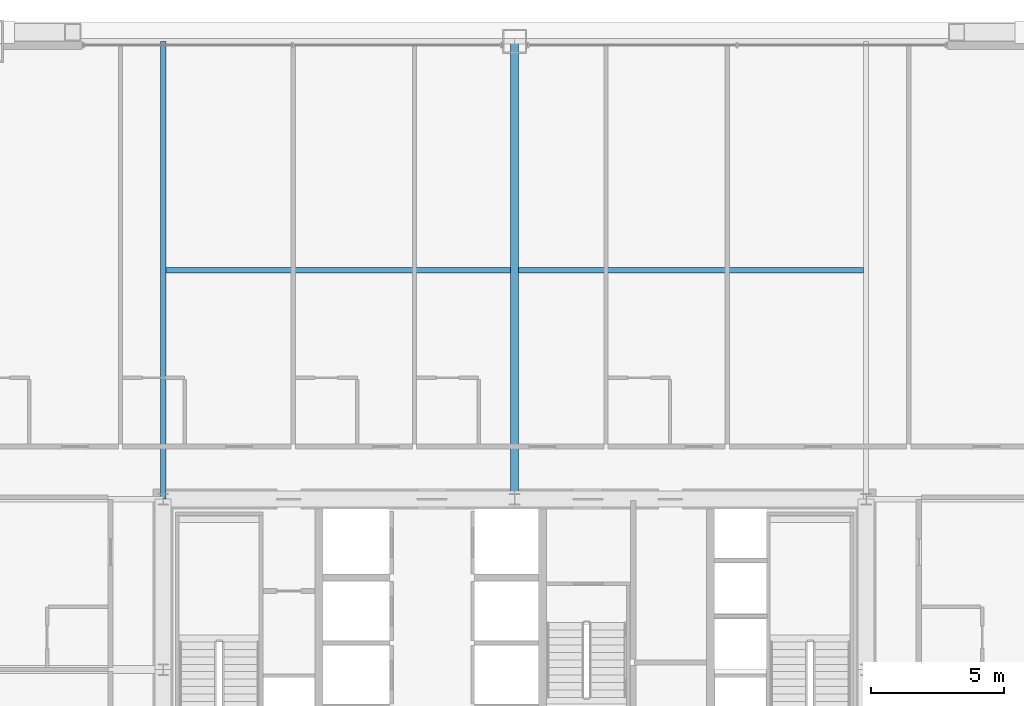
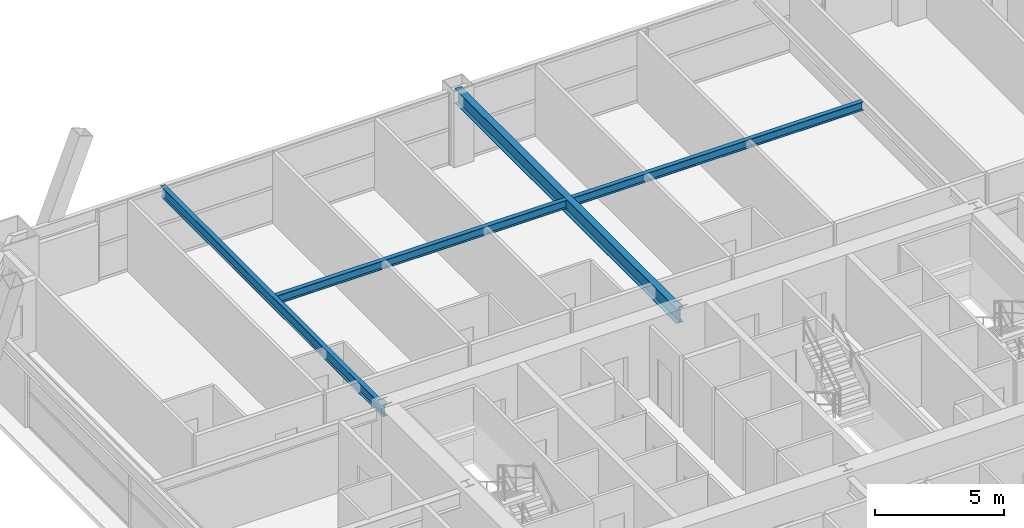
# One storey, part 26 of 43: 4 beams.
"""IFC4 building model written with IfcOpenShell, lengths in metres."""

from ifc_helpers import new_model, si_unit, direction, frame, origin, origin_2d, place, context, subcontext, project, spatial, i_section, extrude, source, transform, mapped, material, material_profile, profile_set, type_object, element, save


model = new_model("IFC4")

# Units and contexts
model_context = context("Model", 3, precision=1e-05, world=origin(), true_north=direction((0.0, 1.0)))
body_context = subcontext(model_context, "Body", "Model", "MODEL_VIEW")
ifc_project = project(units=[si_unit("LENGTHUNIT", "METRE"), si_unit("AREAUNIT", "SQUARE_METRE"), si_unit("VOLUMEUNIT", "CUBIC_METRE"), si_unit("PLANEANGLEUNIT", "RADIAN"), si_unit("MASSUNIT", "GRAM", prefix="KILO"), si_unit("THERMODYNAMICTEMPERATUREUNIT", "KELVIN"), si_unit("POWERUNIT", "WATT")], contexts=[model_context])

# Site, building, storey
site_placement = place(None, origin())
site = spatial("IfcSite", under=ifc_project, at=site_placement, CompositionType="ELEMENT")
building_placement = place(site_placement, origin())
building = spatial("IfcBuilding", under=site, at=building_placement, Name="Yuzanri Waterfront Tower", CompositionType="ELEMENT")
storey_placement = place(building_placement, frame((0.0, 0.0, 93.800048828125)))
storey = spatial("IfcBuildingStorey", under=building, at=storey_placement, Name="L24", CompositionType="ELEMENT", Elevation=93.800048828125)

# Beams
ifc_material_1 = material(Name="Steel Q355B", Category="steel")
ifc_material_profile_1 = material_profile(ifc_material_1, i_section(OverallWidth=0.199951171875, OverallDepth=0.39990234375, WebThickness=0.008056640625, FlangeThickness=0.012939453125, at=origin_2d()), Name="HN 400x200x8x13")
ifc_profile_set_1 = profile_set([ifc_material_profile_1], Name="Steel Q355B")
beam_type_1 = type_object("IfcBeamType", Name="Floor Joist Q355B HN 400x200", PredefinedType="JOIST", material=ifc_profile_set_1)
shared_shape_1 = source(origin(), body_context, "Body", "SweptSolid", [
    extrude(i_section(OverallWidth=0.199951171875, OverallDepth=0.39990234375, WebThickness=0.008056640625, FlangeThickness=0.012939453125, at=origin_2d()), origin(), (0.0, 0.0, 1.0), 12.9501953125),
])
for number, where, z_axis, x_axis, name in (
    (1, (23.89990234375, 40.800048828125, 3.179931640625), (1.0, 0.0, 0.0), (0.0, 1.0, 0.0), "L24 North Bay Joist W"),
    (2, (37.14990234375, 40.800048828125, 3.179931640625), (1.0, 0.0, 0.0), (0.0, 1.0, 0.0), "L24 North Bay Joist E"),
):
    element("IfcBeam", number, at=place(storey_placement, frame(where, z_axis=z_axis, x_axis=x_axis)), inside=storey, type_object=beam_type_1, Name=name, PredefinedType="JOIST", context=body_context, shape_type="MappedRepresentation", body=[
        mapped(shared_shape_1, transform((0.0, 0.0, 0.0), scale=1.0)),
    ])
ifc_material_2 = material(Name="Steel Q355B", Category="steel")
ifc_material_profile_2 = material_profile(ifc_material_2, i_section(OverallWidth=0.300048828125, OverallDepth=0.699951171875, WebThickness=0.012939453125, FlangeThickness=0.02392578125, at=origin_2d()), Name="HN 700x300x13x24")
ifc_profile_set_2 = profile_set([ifc_material_profile_2], Name="Steel Q355B")
beam_type_2 = type_object("IfcBeamType", Name="Primary Floor Girder Q355B HN 700x300", PredefinedType="BEAM", material=ifc_profile_set_2)
shared_shape_2 = source(origin(), body_context, "Body", "SweptSolid", [
    extrude(i_section(OverallWidth=0.300048828125, OverallDepth=0.699951171875, WebThickness=0.012939453125, FlangeThickness=0.02392578125, at=origin_2d()), origin(), (0.0, 0.0, 1.0), 17.199951171875),
])
beam_1_placement = place(storey_placement, frame((37.0, 32.199951171875, 3.030029296875), z_axis=(0.0, 1.0, 0.0), x_axis=(-1.0, 0.0, 0.0)))
element("IfcBeam", 3, at=beam_1_placement, inside=storey, type_object=beam_type_2, Name="L24 North Grid Girder", PredefinedType="BEAM", context=body_context, shape_type="MappedRepresentation", body=[
    mapped(shared_shape_2, transform((0.0, 0.0, 0.0), scale=1.0)),
])
ifc_material_3 = material(Name="Steel Q355B", Category="steel")
ifc_material_profile_3 = material_profile(ifc_material_3, i_section(OverallWidth=0.199951171875, OverallDepth=0.5, WebThickness=0.010009765625, FlangeThickness=0.01611328125, at=origin_2d()), Name="HN 500x200x10x16")
ifc_profile_set_3 = profile_set([ifc_material_profile_3], Name="Steel Q355B")
beam_type_3 = type_object("IfcBeamType", Name="Secondary Floor Beam Q355B HN 500x200", PredefinedType="BEAM", material=ifc_profile_set_3)
shared_shape_3 = source(origin(), body_context, "Body", "SweptSolid", [
    extrude(i_section(OverallWidth=0.199951171875, OverallDepth=0.5, WebThickness=0.010009765625, FlangeThickness=0.01611328125, at=origin_2d()), origin(), (0.0, 0.0, 1.0), 17.199951171875),
])
beam_2_placement = place(storey_placement, frame((23.800048828125, 32.199951171875, 3.1298828125), z_axis=(0.0, 1.0, 0.0), x_axis=(-1.0, 0.0, 0.0)))
element("IfcBeam", 4, at=beam_2_placement, inside=storey, type_object=beam_type_3, Name="L24 North-West Core Line Beam", PredefinedType="BEAM", context=body_context, shape_type="MappedRepresentation", body=[
    mapped(shared_shape_3, transform((0.0, 0.0, 0.0), scale=1.0)),
])

save(model, "model.ifc")
